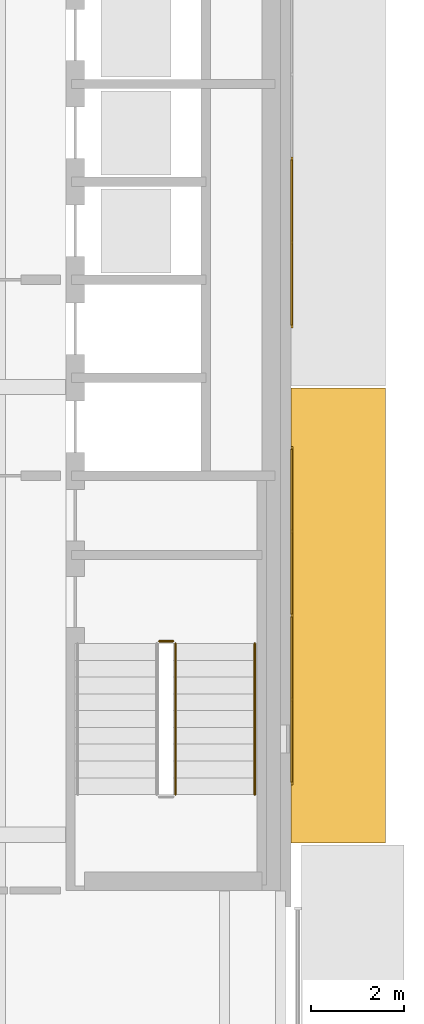
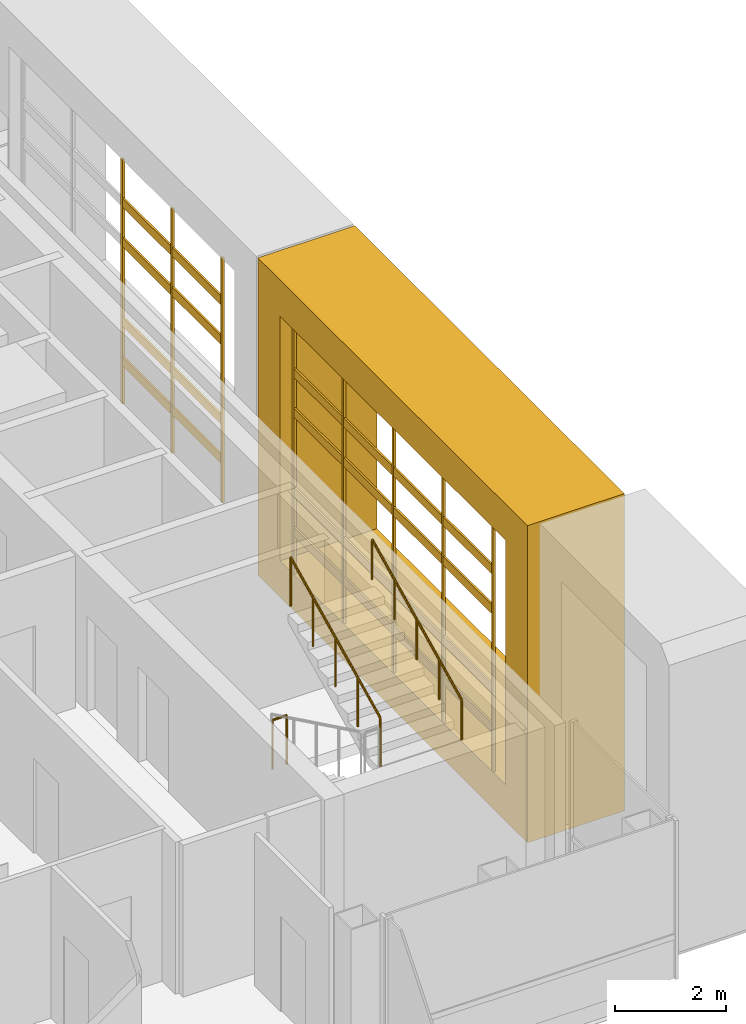
# One storey, part 18 of 21: 21 coverings, 3 railings.
"""IFC4 building model written with IfcOpenShell, lengths in metres."""

from ifc_helpers import new_model, si_unit, direction, frame, origin, origin_2d, place, context, subcontext, project, spatial, polyline, rectangle, circle, outline, extrude, material, type_object, element, save


model = new_model("IFC4")

# Units and contexts
model_context = context("Model", 3, precision=1e-05, world=origin(), true_north=direction((0.0, 1.0)))
body_context = subcontext(model_context, "Body", "Model", "MODEL_VIEW")
ifc_project = project(units=[si_unit("LENGTHUNIT", "METRE"), si_unit("AREAUNIT", "SQUARE_METRE"), si_unit("VOLUMEUNIT", "CUBIC_METRE"), si_unit("PLANEANGLEUNIT", "RADIAN"), si_unit("MASSUNIT", "GRAM", prefix="KILO")], contexts=[model_context])

# Site, building, storey
site_placement = place(None, origin())
site = spatial("IfcSite", under=ifc_project, at=site_placement, CompositionType="ELEMENT")
building_placement = place(site_placement, origin())
building = spatial("IfcBuilding", under=site, at=building_placement, Name="Cobrizo Arcos Hotel Tower", CompositionType="ELEMENT")
storey_placement = place(building_placement, frame((0.0, 0.0, 269.0)))
storey = spatial("IfcBuildingStorey", under=building, at=storey_placement, Name="L71", CompositionType="ELEMENT", Elevation=269.0)

# Coverings
ifc_material_1 = material(Name="Aluminium 6063-T6 anodised bronze", Category="aluminium")
covering_type_1 = type_object("IfcCoveringType", Name="FIN-F 2025", PredefinedType="CLADDING", material=ifc_material_1)
covering_placement = place(storey_placement, frame((20.625, -9.77490234375, 0.0), z_axis=(1.0, 0.0, 0.0), x_axis=(0.0, 1.0, 0.0)))
element("IfcCovering", 1, at=covering_placement, inside=storey, type_object=covering_type_1, Name="Fin frame 396", PredefinedType="CLADDING", context=body_context, shape_type="SweptSolid", body=[
    extrude(outline(polyline([(0.0, 7.0), (0.0, 0.0), (9.75, 0.0), (9.75, 7.0), (0.0, 7.0)]), holes=[polyline([(8.949951171875, 0.800048828125), (0.800048828125, 0.800048828125), (0.800048828125, 6.199951171875), (8.949951171875, 6.199951171875), (8.949951171875, 0.800048828125)])]), origin(), (0.0, 0.0, 1.0), 2.02490234375),
])
ifc_material_2 = material(Name="Aluminium 6063-T6 anodised pale", Category="aluminium")
covering_type_2 = type_object("IfcCoveringType", Name="RS-2 rainscreen rib 60x50", PredefinedType="CLADDING", material=ifc_material_2)
for number, where, z_axis, x_axis, name in (
    (2, (20.64990234375, -8.5, 0.800048828125), (0.0, 0.0, 1.0), (0.0, 1.0, 0.0), "Rainscreen rib 281"),
    (3, (20.64990234375, -6.699951171875, 0.800048828125), (0.0, 0.0, 1.0), (0.0, 1.0, 0.0), "Rainscreen rib 282"),
    (4, (20.64990234375, -4.89990234375, 0.800048828125), (0.0, 0.0, 1.0), (0.0, 1.0, 0.0), "Rainscreen rib 283"),
    (5, (20.64990234375, -3.10009765625, 0.800048828125), (0.0, 0.0, 1.0), (0.0, 1.0, 0.0), "Rainscreen rib 284"),
    (6, (20.64990234375, -1.300048828125, 0.800048828125), (0.0, 0.0, 1.0), (0.0, 1.0, 0.0), "Rainscreen rib 285"),
    (7, (20.64990234375, 1.300048828125, 0.800048828125), (0.0, 0.0, 1.0), (0.0, 1.0, 0.0), "Rainscreen rib 286"),
    (8, (20.64990234375, 3.10009765625, 0.800048828125), (0.0, 0.0, 1.0), (0.0, 1.0, 0.0), "Rainscreen rib 287"),
    (9, (20.64990234375, 4.89990234375, 0.800048828125), (0.0, 0.0, 1.0), (0.0, 1.0, 0.0), "Rainscreen rib 288"),
):
    element("IfcCovering", number, at=place(storey_placement, frame(where, z_axis=z_axis, x_axis=x_axis)), inside=storey, type_object=covering_type_2, Name=name, PredefinedType="CLADDING", context=body_context, shape_type="SweptSolid", body=[
        extrude(rectangle(XDim=0.06005859375, YDim=0.050048828125, at=origin_2d()), origin(), (0.0, 0.0, 1.0), 5.39990234375),
    ])
covering_type_3 = type_object("IfcCoveringType", Name="RS-3 rainscreen louvre slat 200x40", PredefinedType="CLADDING", material=ifc_material_2)
for number, where, z_axis, x_axis, name in (
    (10, (20.64501953125, -6.699951171875, 1.64990234375), (0.0, 0.0, 1.0), (0.0, 1.0, 0.0), "Rainscreen slat 117"),
    (11, (20.64501953125, -6.699951171875, 2.52490234375), (0.0, 0.0, 1.0), (0.0, 1.0, 0.0), "Rainscreen slat 118"),
    (12, (20.64501953125, -3.10009765625, 1.64990234375), (0.0, 0.0, 1.0), (0.0, 1.0, 0.0), "Rainscreen slat 119"),
    (13, (20.64501953125, -3.10009765625, 2.52490234375), (0.0, 0.0, 1.0), (0.0, 1.0, 0.0), "Rainscreen slat 120"),
    (14, (20.64501953125, -6.699951171875, 4.27490234375), (0.0, 0.0, 1.0), (0.0, 1.0, 0.0), "Rainscreen slat 121"),
    (15, (20.64501953125, -6.699951171875, 5.14990234375), (0.0, 0.0, 1.0), (0.0, 1.0, 0.0), "Rainscreen slat 122"),
    (16, (20.64501953125, -3.10009765625, 4.27490234375), (0.0, 0.0, 1.0), (0.0, 1.0, 0.0), "Rainscreen slat 123"),
    (17, (20.64501953125, -3.10009765625, 5.14990234375), (0.0, 0.0, 1.0), (0.0, 1.0, 0.0), "Rainscreen slat 124"),
    (18, (20.64501953125, 3.10009765625, 1.64990234375), (0.0, 0.0, 1.0), (0.0, 1.0, 0.0), "Rainscreen slat 125"),
    (19, (20.64501953125, 3.10009765625, 2.52490234375), (0.0, 0.0, 1.0), (0.0, 1.0, 0.0), "Rainscreen slat 126"),
    (20, (20.64501953125, 3.10009765625, 4.27490234375), (0.0, 0.0, 1.0), (0.0, 1.0, 0.0), "Rainscreen slat 129"),
    (21, (20.64501953125, 3.10009765625, 5.14990234375), (0.0, 0.0, 1.0), (0.0, 1.0, 0.0), "Rainscreen slat 130"),
):
    element("IfcCovering", number, at=place(storey_placement, frame(where, z_axis=z_axis, x_axis=x_axis)), inside=storey, type_object=covering_type_3, Name=name, PredefinedType="CLADDING", context=body_context, shape_type="SweptSolid", body=[
        extrude(rectangle(XDim=3.5400390625, YDim=0.0400390625, at=origin_2d()), origin(), (0.0, 0.0, 1.0), 0.199951171875),
    ])

# Railings
ifc_material_3 = material(Name="Stainless steel railing", Category="steel")
railing_type_1 = type_object("IfcRailingType", Name="Stair guard 1100", PredefinedType="GUARDRAIL", material=ifc_material_3)
railing_1_placement = place(storey_placement, frame((18.14990234375, -8.739990234375, 1.925048828125)))
element("IfcRailing", 22, at=railing_1_placement, inside=storey, type_object=railing_type_1, Name="L71 ST-E stair guard 3", PredefinedType="GUARDRAIL", context=body_context, shape_type="SweptSolid", body=[
    extrude(circle(Radius=0.02392578125, at=origin_2d()), frame((0.0, 0.0, 1.076171875), z_axis=(0.0, 0.899372665325, 0.437182809435), x_axis=(-1.0, 0.0, 0.0)), (0.0, 0.0, 1.0), 3.6025390625),
    extrude(circle(Radius=0.02099609375, at=origin_2d()), origin(), (0.0, 0.0, 1.0), 1.052001953125),
    extrude(circle(Radius=0.02099609375, at=origin_2d()), frame((0.0, 0.81005859375, 0.393798828125)), (0.0, 0.0, 1.0), 1.052001953125),
    extrude(circle(Radius=0.02099609375, at=origin_2d()), frame((0.0, 1.6201171875, 0.78759765625)), (0.0, 0.0, 1.0), 1.052001953125),
    extrude(circle(Radius=0.02099609375, at=origin_2d()), frame((0.0, 2.429931640625, 1.18115234375)), (0.0, 0.0, 1.0), 1.052001953125),
    extrude(circle(Radius=0.02099609375, at=origin_2d()), frame((0.0, 3.239990234375, 1.574951171875)), (0.0, 0.0, 1.0), 1.052001953125),
])
railing_2_placement = place(storey_placement, frame((17.800048828125, -5.449951171875, 0.0)))
element("IfcRailing", 23, at=railing_2_placement, inside=storey, type_object=railing_type_1, Name="L71 ST-E stair guard 4", PredefinedType="GUARDRAIL", context=body_context, shape_type="SweptSolid", body=[
    extrude(circle(Radius=0.02392578125, at=origin_2d()), frame((0.0, 0.0, 1.076171875), z_axis=(1.0, 0.0, 0.0), x_axis=(0.0, 1.0, 0.0)), (0.0, 0.0, 1.0), 0.300048828125),
    extrude(circle(Radius=0.02099609375, at=origin_2d()), origin(), (0.0, 0.0, 1.0), 1.052001953125),
    extrude(circle(Radius=0.02099609375, at=origin_2d()), frame((0.300048828125, 0.0, 0.0)), (0.0, 0.0, 1.0), 1.052001953125),
])
railing_type_2 = type_object("IfcRailingType", Name="Stair handrail", PredefinedType="HANDRAIL", material=ifc_material_3)
railing_3_placement = place(storey_placement, frame((19.85009765625, -8.739990234375, 1.925048828125)))
element("IfcRailing", 24, at=railing_3_placement, inside=storey, type_object=railing_type_2, Name="L71 ST-E stair handrail 2", PredefinedType="HANDRAIL", context=body_context, shape_type="SweptSolid", body=[
    extrude(circle(Radius=0.02392578125, at=origin_2d()), frame((0.0, 0.0, 0.8759765625), z_axis=(0.0, 0.899372665325, 0.437182809435), x_axis=(-1.0, 0.0, 0.0)), (0.0, 0.0, 1.0), 3.6025390625),
    extrude(circle(Radius=0.02099609375, at=origin_2d()), origin(), (0.0, 0.0, 1.0), 0.851806640625),
    extrude(circle(Radius=0.02099609375, at=origin_2d()), frame((0.0, 0.81005859375, 0.393798828125)), (0.0, 0.0, 1.0), 0.851806640625),
    extrude(circle(Radius=0.02099609375, at=origin_2d()), frame((0.0, 1.6201171875, 0.78759765625)), (0.0, 0.0, 1.0), 0.851806640625),
    extrude(circle(Radius=0.02099609375, at=origin_2d()), frame((0.0, 2.429931640625, 1.18115234375)), (0.0, 0.0, 1.0), 0.851806640625),
    extrude(circle(Radius=0.02099609375, at=origin_2d()), frame((0.0, 3.239990234375, 1.574951171875)), (0.0, 0.0, 1.0), 0.851806640625),
])

save(model, "model.ifc")
